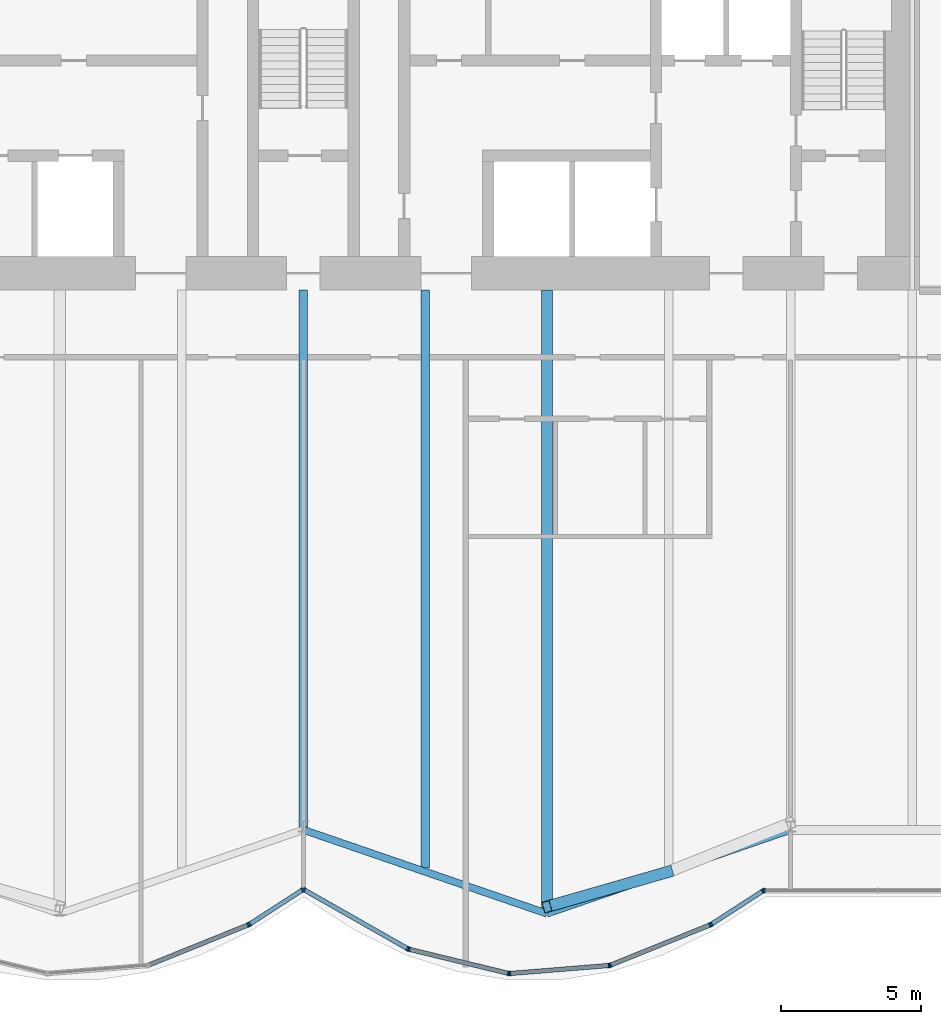
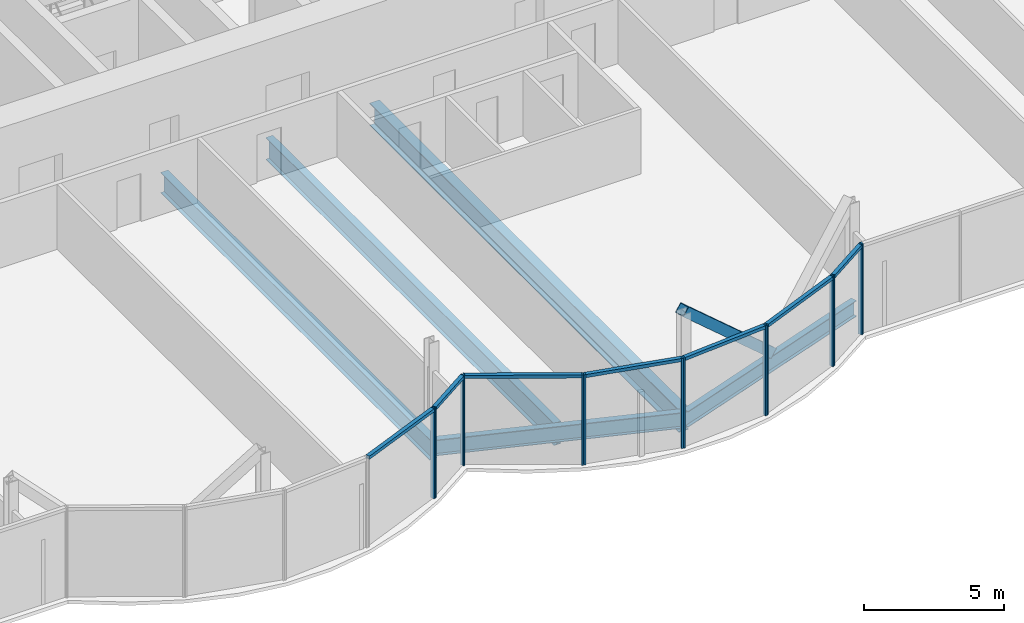
# One storey, part 8 of 21: 22 members, 5 beams, 3 elements without a shape of their own.
"""IFC4 building model written with IfcOpenShell, lengths in metres."""

from ifc_helpers import new_model, si_unit, direction, frame, origin, origin_2d, place, context, subcontext, project, spatial, rectangle, hollow_rectangle, i_section, extrude, material, material_profile, profile_set, type_object, element, aggregate, save


model = new_model("IFC4")

# Units and contexts
model_context = context("Model", 3, precision=1e-05, world=origin(), true_north=direction((0.0, 1.0)))
body_context = subcontext(model_context, "Body", "Model", "MODEL_VIEW")
ifc_project = project(units=[si_unit("LENGTHUNIT", "METRE"), si_unit("AREAUNIT", "SQUARE_METRE"), si_unit("VOLUMEUNIT", "CUBIC_METRE"), si_unit("PLANEANGLEUNIT", "RADIAN"), si_unit("MASSUNIT", "GRAM", prefix="KILO")], contexts=[model_context])

# Site, building, storey
site_placement = place(None, origin())
site = spatial("IfcSite", under=ifc_project, at=site_placement, CompositionType="ELEMENT")
building_placement = place(site_placement, origin())
building = spatial("IfcBuilding", under=site, at=building_placement, Name="Bicima Exchange Tower", CompositionType="ELEMENT")
storey_placement = place(building_placement, frame((0.0, 0.0, 165.0)))
storey = spatial("IfcBuildingStorey", under=building, at=storey_placement, Name="L36", CompositionType="ELEMENT", Elevation=165.0)

# Beams
ifc_material_1 = material(Name="Steel ASTM A992 Gr 50", Category="steel")
ifc_material_profile_1 = material_profile(ifc_material_1, i_section(OverallWidth=0.3046875, OverallDepth=0.904296875, WebThickness=0.01513671875, FlangeThickness=0.02001953125, at=origin_2d()))
ifc_profile_set_1 = profile_set([ifc_material_profile_1], Name="Steel ASTM A992 Gr 50")
beam_type_1 = type_object("IfcBeamType", Name="Floor beam W36x135", PredefinedType="JOIST", material=ifc_profile_set_1)
beam_1_placement = place(storey_placement, frame((0.0, -13.0, -0.60205078125), z_axis=(0.0, -1.0, 0.0), x_axis=(1.0, 0.0, 0.0)))
element("IfcBeam", 1, at=beam_1_placement, inside=storey, type_object=beam_type_1, Name="Floor beam", PredefinedType="JOIST", context=body_context, shape_type="SweptSolid", body=[
    extrude(i_section(OverallWidth=0.3046875, OverallDepth=0.904296875, WebThickness=0.01513671875, FlangeThickness=0.02001953125, at=origin_2d()), origin(), (0.0, 0.0, 1.0), 19.280029296875),
])
ifc_material_profile_2 = material_profile(ifc_material_1, i_section(OverallWidth=0.2998046875, OverallDepth=0.97021484375, WebThickness=0.01611328125, FlangeThickness=0.02099609375, at=origin_2d()))
ifc_profile_set_2 = profile_set([ifc_material_profile_2], Name="Steel ASTM A992 Gr 50")
beam_type_2 = type_object("IfcBeamType", Name="Floor beam W40x149", PredefinedType="JOIST", material=ifc_profile_set_2)
beam_2_placement = place(storey_placement, frame((4.35009765625, -13.0, -0.635009765625), z_axis=(0.0, -1.0, 0.0), x_axis=(1.0, 0.0, 0.0)))
element("IfcBeam", 2, at=beam_2_placement, inside=storey, type_object=beam_type_2, Name="Floor beam", PredefinedType="JOIST", context=body_context, shape_type="SweptSolid", body=[
    extrude(i_section(OverallWidth=0.2998046875, OverallDepth=0.97021484375, WebThickness=0.01611328125, FlangeThickness=0.02099609375, at=origin_2d()), origin(), (0.0, 0.0, 1.0), 20.639892578125),
])
ifc_material_profile_3 = material_profile(ifc_material_1, i_section(OverallWidth=0.4013671875, OverallDepth=0.990478515625, WebThickness=0.0166015625, FlangeThickness=0.031005859375, at=origin_2d()))
ifc_profile_set_3 = profile_set([ifc_material_profile_3], Name="Steel ASTM A992 Gr 50")
beam_type_3 = type_object("IfcBeamType", Name="Floor beam W40x215", PredefinedType="JOIST", material=ifc_profile_set_3)
beam_3_placement = place(storey_placement, frame((8.699951171875, -13.0, -0.645263671875), z_axis=(0.0, -1.0, 0.0), x_axis=(1.0, 0.0, 0.0)))
element("IfcBeam", 3, at=beam_3_placement, inside=storey, type_object=beam_type_3, Name="Floor beam", PredefinedType="JOIST", context=body_context, shape_type="SweptSolid", body=[
    extrude(i_section(OverallWidth=0.4013671875, OverallDepth=0.990478515625, WebThickness=0.0166015625, FlangeThickness=0.031005859375, at=origin_2d()), origin(), (0.0, 0.0, 1.0), 22.135498046875),
])
ifc_material_profile_4 = material_profile(ifc_material_1, i_section(OverallWidth=0.256591796875, OverallDepth=0.693359375, WebThickness=0.014404296875, FlangeThickness=0.023681640625, at=origin_2d()))
ifc_profile_set_4 = profile_set([ifc_material_profile_4], Name="Steel ASTM A992 Gr 50")
beam_type_4 = type_object("IfcBeamType", Name="Front girder W27x114", PredefinedType="BEAM", material=ifc_profile_set_4)
for number, where, z_axis, x_axis, name in (
    (4, (0.0, -32.280029296875, -0.49658203125), (0.945674616091, -0.32511462668, 0.0), (0.32511462668, 0.945674616091, 0.0), "Front girder"),
    (5, (8.699951171875, -35.27099609375, -0.49658203125), (0.945674616091, 0.32511462668, 0.0), (-0.32511462668, 0.945674616091, 0.0), "Front girder"),
):
    element("IfcBeam", number, at=place(storey_placement, frame(where, z_axis=z_axis, x_axis=x_axis)), inside=storey, type_object=beam_type_4, Name=name, PredefinedType="BEAM", context=body_context, shape_type="SweptSolid", body=[
        extrude(i_section(OverallWidth=0.256591796875, OverallDepth=0.693359375, WebThickness=0.014404296875, FlangeThickness=0.023681640625, at=origin_2d()), origin(), (0.0, 0.0, 1.0), 9.19970703125),
    ])

# Curtain wall, members
ifc_material_2 = material(Name="Anodised bronze aluminium", Category="aluminium")
curtain_wall_type = type_object("IfcCurtainWallType", Name="Front glass wall", PredefinedType="NOTDEFINED", material=ifc_material_2)
curtain_wall_1_placement = place(storey_placement, origin())
curtain_wall_1 = element("IfcCurtainWall", 6, at=curtain_wall_1_placement, inside=storey, type_object=curtain_wall_type, Name="Front glass wall L36 run 6", PredefinedType="NOTDEFINED")
ifc_material_profile_5 = material_profile(ifc_material_2, rectangle(XDim=0.159912109375, YDim=0.06005859375, at=origin_2d()))
ifc_profile_set_5 = profile_set([ifc_material_profile_5], Name="Anodised bronze aluminium")
member_type_1 = type_object("IfcMemberType", Name="Front glass wall mullion 60 x 160", PredefinedType="MULLION", material=ifc_profile_set_5)
member_1_placement = place(storey_placement, frame((-1.97412109375, -35.675537109375, 0.0), z_axis=(0.0, 0.0, 1.0), x_axis=(-0.374705304, 0.92714396679, 0.0)))
member_1 = element("IfcMember", 7, at=member_1_placement, type_object=member_type_1, Name="Front glass wall mullion 2", PredefinedType="MULLION", context=body_context, shape_type="SweptSolid", body=[
    extrude(rectangle(XDim=0.159912109375, YDim=0.06005859375, at=origin_2d()), origin(), (0.0, 0.0, 1.0), 3.949951171875),
])
member_2_placement = place(storey_placement, frame((-1.921142578125, -35.648193359375, 0.0), z_axis=(0.0, 0.0, 1.0), x_axis=(-0.542897457326, 0.839798994301, 0.0)))
member_2 = element("IfcMember", 8, at=member_2_placement, type_object=member_type_1, Name="Front glass wall mullion 1", PredefinedType="MULLION", context=body_context, shape_type="SweptSolid", body=[
    extrude(rectangle(XDim=0.159912109375, YDim=0.06005859375, at=origin_2d()), origin(), (0.0, 0.0, 1.0), 3.949951171875),
])
member_3_placement = place(storey_placement, frame((-0.025146484375, -34.42236328125, 0.0), z_axis=(0.0, 0.0, 1.0), x_axis=(-0.542897457326, 0.839798994301, 0.0)))
member_3 = element("IfcMember", 9, at=member_3_placement, type_object=member_type_1, Name="Front glass wall mullion 2", PredefinedType="MULLION", context=body_context, shape_type="SweptSolid", body=[
    extrude(rectangle(XDim=0.159912109375, YDim=0.06005859375, at=origin_2d()), origin(), (0.0, 0.0, 1.0), 3.949951171875),
])

curtain_wall_2_placement = place(storey_placement, origin())
curtain_wall_2 = element("IfcCurtainWall", 10, at=curtain_wall_2_placement, inside=storey, type_object=curtain_wall_type, Name="Front glass wall L36 run 11", PredefinedType="NOTDEFINED")
member_4_placement = place(storey_placement, frame((0.026123046875, -34.4208984375, 0.0), z_axis=(0.0, 0.0, 1.0), x_axis=(0.494330311331, 0.869274147378, 0.0)))
member_4 = element("IfcMember", 11, at=member_4_placement, type_object=member_type_1, Name="Front glass wall mullion 1", PredefinedType="MULLION", context=body_context, shape_type="SweptSolid", body=[
    extrude(rectangle(XDim=0.159912109375, YDim=0.06005859375, at=origin_2d()), origin(), (0.0, 0.0, 1.0), 3.949951171875),
])
member_5_placement = place(storey_placement, frame((3.7265625, -36.525390625, 0.0), z_axis=(0.0, 0.0, 1.0), x_axis=(0.494330311331, 0.869274147378, 0.0)))
member_5 = element("IfcMember", 12, at=member_5_placement, type_object=member_type_1, Name="Front glass wall mullion 2", PredefinedType="MULLION", context=body_context, shape_type="SweptSolid", body=[
    extrude(rectangle(XDim=0.159912109375, YDim=0.06005859375, at=origin_2d()), origin(), (0.0, 0.0, 1.0), 3.949951171875),
])
member_6_placement = place(storey_placement, frame((3.781982421875, -36.54736328125, 0.0), z_axis=(0.0, 0.0, 1.0), x_axis=(0.235681529503, 0.971830343553, 0.0)))
member_6 = element("IfcMember", 13, at=member_6_placement, type_object=member_type_1, Name="Front glass wall mullion 1", PredefinedType="MULLION", context=body_context, shape_type="SweptSolid", body=[
    extrude(rectangle(XDim=0.159912109375, YDim=0.06005859375, at=origin_2d()), origin(), (0.0, 0.0, 1.0), 3.949951171875),
])
member_7_placement = place(storey_placement, frame((7.322509765625, -37.406005859375, 0.0), z_axis=(0.0, 0.0, 1.0), x_axis=(0.235681529503, 0.971830343553, 0.0)))
member_7 = element("IfcMember", 14, at=member_7_placement, type_object=member_type_1, Name="Front glass wall mullion 2", PredefinedType="MULLION", context=body_context, shape_type="SweptSolid", body=[
    extrude(rectangle(XDim=0.159912109375, YDim=0.06005859375, at=origin_2d()), origin(), (0.0, 0.0, 1.0), 3.949951171875),
])
member_8_placement = place(storey_placement, frame((7.381591796875, -37.41064453125, 0.0), z_axis=(0.0, 0.0, 1.0), x_axis=(-0.080588612633, 0.99674744821, 0.0)))
member_8 = element("IfcMember", 15, at=member_8_placement, type_object=member_type_1, Name="Front glass wall mullion 1", PredefinedType="MULLION", context=body_context, shape_type="SweptSolid", body=[
    extrude(rectangle(XDim=0.159912109375, YDim=0.06005859375, at=origin_2d()), origin(), (0.0, 0.0, 1.0), 3.949951171875),
])
member_9_placement = place(storey_placement, frame((10.916015625, -37.124755859375, 0.0), z_axis=(0.0, 0.0, 1.0), x_axis=(-0.080588612633, 0.99674744821, 0.0)))
member_9 = element("IfcMember", 16, at=member_9_placement, type_object=member_type_1, Name="Front glass wall mullion 2", PredefinedType="MULLION", context=body_context, shape_type="SweptSolid", body=[
    extrude(rectangle(XDim=0.159912109375, YDim=0.06005859375, at=origin_2d()), origin(), (0.0, 0.0, 1.0), 3.949951171875),
])
member_10_placement = place(storey_placement, frame((10.973876953125, -37.111083984375, 0.0), z_axis=(0.0, 0.0, 1.0), x_axis=(-0.374705304, 0.92714396679, 0.0)))
member_10 = element("IfcMember", 17, at=member_10_placement, type_object=member_type_1, Name="Front glass wall mullion 1", PredefinedType="MULLION", context=body_context, shape_type="SweptSolid", body=[
    extrude(rectangle(XDim=0.159912109375, YDim=0.06005859375, at=origin_2d()), origin(), (0.0, 0.0, 1.0), 3.949951171875),
])
member_11_placement = place(storey_placement, frame((14.52587890625, -35.675537109375, 0.0), z_axis=(0.0, 0.0, 1.0), x_axis=(-0.374705304, 0.92714396679, 0.0)))
member_11 = element("IfcMember", 18, at=member_11_placement, type_object=member_type_1, Name="Front glass wall mullion 2", PredefinedType="MULLION", context=body_context, shape_type="SweptSolid", body=[
    extrude(rectangle(XDim=0.159912109375, YDim=0.06005859375, at=origin_2d()), origin(), (0.0, 0.0, 1.0), 3.949951171875),
])
member_12_placement = place(storey_placement, frame((14.578857421875, -35.648193359375, 0.0), z_axis=(0.0, 0.0, 1.0), x_axis=(-0.542909183079, 0.839791413941, 0.0)))
member_12 = element("IfcMember", 19, at=member_12_placement, type_object=member_type_1, Name="Front glass wall mullion 1", PredefinedType="MULLION", context=body_context, shape_type="SweptSolid", body=[
    extrude(rectangle(XDim=0.159912109375, YDim=0.06005859375, at=origin_2d()), origin(), (0.0, 0.0, 1.0), 3.949951171875),
])
member_13_placement = place(storey_placement, frame((16.406982421875, -34.46630859375, 0.0), z_axis=(0.0, 0.0, 1.0), x_axis=(-0.542909183079, 0.839791413941, 0.0)))
member_13 = element("IfcMember", 20, at=member_13_placement, type_object=member_type_1, Name="Front glass wall mullion 2", PredefinedType="MULLION", context=body_context, shape_type="SweptSolid", body=[
    extrude(rectangle(XDim=0.159912109375, YDim=0.06005859375, at=origin_2d()), origin(), (0.0, 0.0, 1.0), 3.949951171875),
])

# Curtain wall, member
curtain_wall_3_placement = place(storey_placement, origin())
curtain_wall_3 = element("IfcCurtainWall", 21, at=curtain_wall_3_placement, inside=storey, type_object=curtain_wall_type, Name="Front glass wall L36 run 16", PredefinedType="NOTDEFINED")
member_14_placement = place(storey_placement, frame((16.462158203125, -34.449951171875, 0.0), z_axis=(0.0, 0.0, 1.0), x_axis=(0.0, 1.0, 0.0)))
member_14 = element("IfcMember", 22, at=member_14_placement, type_object=member_type_1, Name="Front glass wall mullion 1", PredefinedType="MULLION", context=body_context, shape_type="SweptSolid", body=[
    extrude(rectangle(XDim=0.159912109375, YDim=0.06005859375, at=origin_2d()), origin(), (0.0, 0.0, 1.0), 3.949951171875),
])
aggregate(curtain_wall_3, [member_14])

# Member
ifc_material_profile_6 = material_profile(ifc_material_2, rectangle(XDim=0.159912109375, YDim=0.139892578125, at=origin_2d()))
ifc_profile_set_6 = profile_set([ifc_material_profile_6], Name="Anodised bronze aluminium")
member_type_2 = type_object("IfcMemberType", Name="Front glass wall transom 140 x 160", PredefinedType="USERDEFINED", material=ifc_profile_set_6)
member_15_placement = place(storey_placement, frame((-5.498291015625, -37.099853515625, 3.8798828125), z_axis=(0.927140215882, 0.374714584842, 0.0), x_axis=(-0.374714584842, 0.927140215882, 0.0)))
member_15 = element("IfcMember", 23, at=member_15_placement, type_object=member_type_2, Name="Front glass wall transom 1.1", ObjectType="TRANSOM", PredefinedType="USERDEFINED", context=body_context, shape_type="SweptSolid", body=[
    extrude(rectangle(XDim=0.159912109375, YDim=0.139892578125, at=origin_2d()), origin(), (0.0, 0.0, 1.0), 3.77099609375),
])

member_16_placement = place(storey_placement, frame((-1.89599609375, -35.6318359375, 3.8798828125), z_axis=(0.839811483481, 0.542878137536, 0.0), x_axis=(-0.542878137536, 0.839811483481, 0.0)))
member_16 = element("IfcMember", 24, at=member_16_placement, type_object=member_type_2, Name="Front glass wall transom 1.1", ObjectType="TRANSOM", PredefinedType="USERDEFINED", context=body_context, shape_type="SweptSolid", body=[
    extrude(rectangle(XDim=0.159912109375, YDim=0.139892578125, at=origin_2d()), origin(), (0.0, 0.0, 1.0), 2.19775390625),
])

aggregate(curtain_wall_1, [member_1, member_15, member_2, member_3, member_16])

member_17_placement = place(storey_placement, frame((0.05224609375, -34.435791015625, 3.8798828125), z_axis=(0.869265121745, -0.494346182466, 0.0), x_axis=(0.494346182466, 0.869265121745, 0.0)))
member_17 = element("IfcMember", 25, at=member_17_placement, type_object=member_type_2, Name="Front glass wall transom 1.1", ObjectType="TRANSOM", PredefinedType="USERDEFINED", context=body_context, shape_type="SweptSolid", body=[
    extrude(rectangle(XDim=0.159912109375, YDim=0.139892578125, at=origin_2d()), origin(), (0.0, 0.0, 1.0), 4.19677734375),
])

member_18_placement = place(storey_placement, frame((3.81103515625, -36.55419921875, 3.8798828125), z_axis=(0.971817951661, -0.235732621477, 0.0), x_axis=(0.235732621477, 0.971817951661, 0.0)))
member_18 = element("IfcMember", 26, at=member_18_placement, type_object=member_type_2, Name="Front glass wall transom 1.1", ObjectType="TRANSOM", PredefinedType="USERDEFINED", context=body_context, shape_type="SweptSolid", body=[
    extrude(rectangle(XDim=0.159912109375, YDim=0.139892578125, at=origin_2d()), origin(), (0.0, 0.0, 1.0), 3.58349609375),
])

member_19_placement = place(storey_placement, frame((7.41162109375, -37.408203125, 3.8798828125), z_axis=(0.9967456465, 0.080610893699, 0.0), x_axis=(-0.080610893699, 0.9967456465, 0.0)))
member_19 = element("IfcMember", 27, at=member_19_placement, type_object=member_type_2, Name="Front glass wall transom 1.1", ObjectType="TRANSOM", PredefinedType="USERDEFINED", context=body_context, shape_type="SweptSolid", body=[
    extrude(rectangle(XDim=0.159912109375, YDim=0.139892578125, at=origin_2d()), origin(), (0.0, 0.0, 1.0), 3.48583984375),
])

member_20_placement = place(storey_placement, frame((11.001708984375, -37.099853515625, 3.8798828125), z_axis=(0.927140215882, 0.374714584842, 0.0), x_axis=(-0.374714584842, 0.927140215882, 0.0)))
member_20 = element("IfcMember", 28, at=member_20_placement, type_object=member_type_2, Name="Front glass wall transom 1.1", ObjectType="TRANSOM", PredefinedType="USERDEFINED", context=body_context, shape_type="SweptSolid", body=[
    extrude(rectangle(XDim=0.159912109375, YDim=0.139892578125, at=origin_2d()), origin(), (0.0, 0.0, 1.0), 3.77099609375),
])

member_21_placement = place(storey_placement, frame((14.60400390625, -35.6318359375, 3.8798828125), z_axis=(0.839792890287, 0.542906899407, 0.0), x_axis=(-0.542906899407, 0.839792890287, 0.0)))
member_21 = element("IfcMember", 29, at=member_21_placement, type_object=member_type_2, Name="Front glass wall transom 1.1", ObjectType="TRANSOM", PredefinedType="USERDEFINED", context=body_context, shape_type="SweptSolid", body=[
    extrude(rectangle(XDim=0.159912109375, YDim=0.139892578125, at=origin_2d()), origin(), (0.0, 0.0, 1.0), 2.11669921875),
])

aggregate(curtain_wall_2, [member_4, member_5, member_17, member_6, member_7, member_18, member_8, member_9, member_19, member_10, member_11, member_20, member_12, member_13, member_21])

ifc_material_3 = material(Name="Steel ASTM A572 Gr 50", Category="steel")
ifc_material_profile_7 = material_profile(ifc_material_3, hollow_rectangle(XDim=0.406494140625, YDim=0.406494140625, WallThickness=0.017822265625, at=origin_2d()))
ifc_profile_set_7 = profile_set([ifc_material_profile_7], Name="Steel ASTM A572 Gr 50")
member_type_3 = type_object("IfcMemberType", Name="Mega brace HSS16x16x3/4", PredefinedType="BRACE", material=ifc_profile_set_7)
member_22_placement = place(storey_placement, frame((13.050048828125, -33.775390625, 0.0), z_axis=(-0.712261059137, -0.204947943102, 0.671327434457), x_axis=(0.276522876258, -0.961007335511, 0.0)))
element("IfcMember", 30, at=member_22_placement, inside=storey, type_object=member_type_3, Name="Mega brace front", PredefinedType="BRACE", context=body_context, shape_type="SweptSolid", body=[
    extrude(hollow_rectangle(XDim=0.406494140625, YDim=0.406494140625, WallThickness=0.017822265625, at=origin_2d()), origin(), (0.0, 0.0, 1.0), 6.107421875),
])

save(model, "model.ifc")
